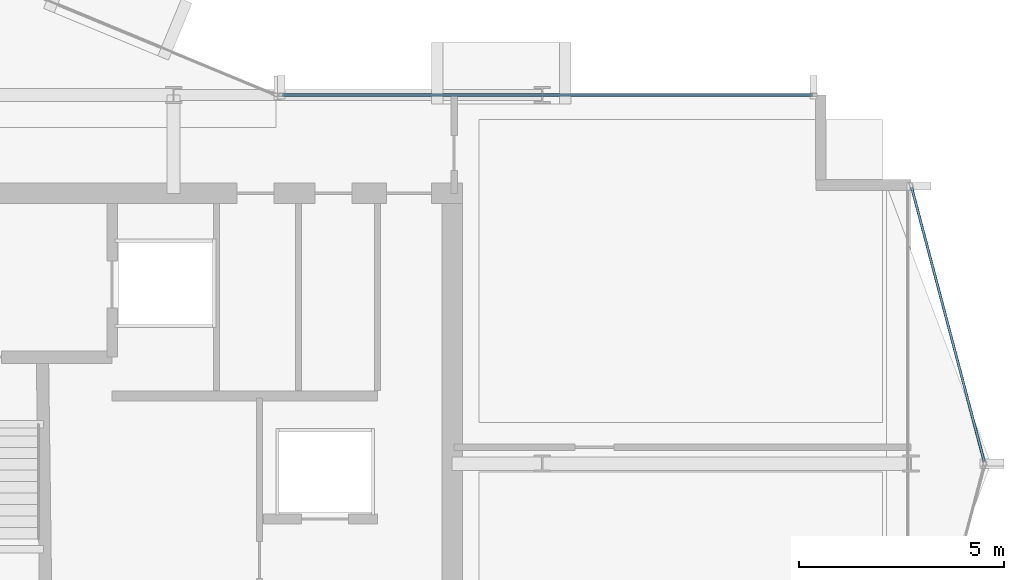
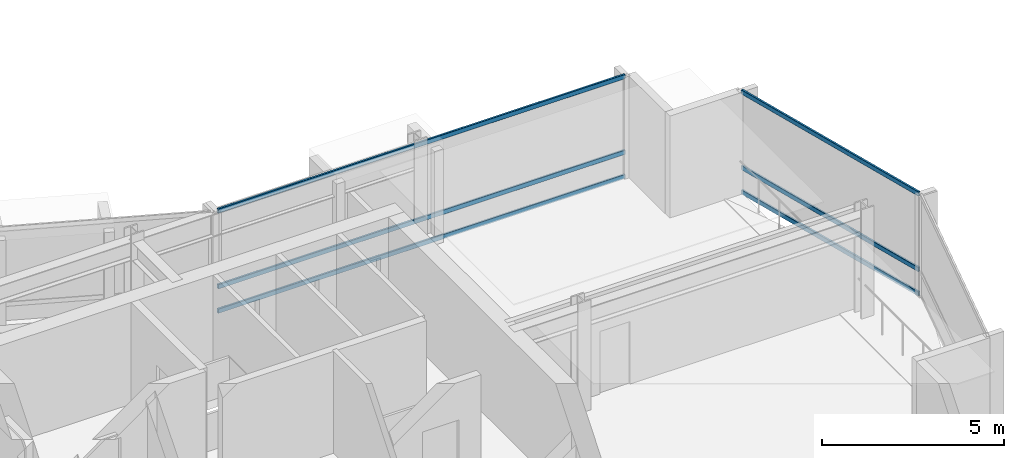
# One storey, part 13 of 27: 6 members, 2 elements without a shape of their own.
"""IFC4 building model written with IfcOpenShell, lengths in metres."""

from ifc_helpers import new_model, si_unit, direction, frame, origin, origin_2d, place, context, subcontext, project, spatial, hollow_rectangle, extrude, material, layer, layer_set, material_profile, profile_set, type_object, element, aggregate, save


model = new_model("IFC4")

# Units and contexts
model_context = context("Model", 3, precision=1e-05, world=origin(), true_north=direction((0.0, 1.0)))
body_context = subcontext(model_context, "Body", "Model", "MODEL_VIEW")
ifc_project = project(units=[si_unit("LENGTHUNIT", "METRE"), si_unit("AREAUNIT", "SQUARE_METRE"), si_unit("VOLUMEUNIT", "CUBIC_METRE"), si_unit("PLANEANGLEUNIT", "RADIAN"), si_unit("MASSUNIT", "GRAM", prefix="KILO")], contexts=[model_context])

# Site, building, storey
site_placement = place(None, origin())
site = spatial("IfcSite", under=ifc_project, at=site_placement, CompositionType="ELEMENT")
building_placement = place(site_placement, origin())
building = spatial("IfcBuilding", under=site, at=building_placement, Name="Solvaryn Broadcast Tower", CompositionType="ELEMENT")
storey_placement = place(building_placement, frame((0.0, 0.0, 185.300048828125)))
storey = spatial("IfcBuildingStorey", under=building, at=storey_placement, Name="L46", CompositionType="ELEMENT", Elevation=185.300048828125)

# Curtain wall, members
ifc_material_1 = material(Name="Aluminium and Terracotta Unitised Curtain Wall", Category="masonry")
ifc_layer = layer(ifc_material_1, 0.199951171875)
ifc_layer_set = layer_set([ifc_layer], Name="CW-SYS2-LOWMID")
curtain_wall_type = type_object("IfcCurtainWallType", Name="CW-SYS2-LOWMID", PredefinedType="NOTDEFINED", material=ifc_layer_set)
curtain_wall_1_placement = place(storey_placement, origin())
curtain_wall_1 = element("IfcCurtainWall", 1, at=curtain_wall_1_placement, inside=storey, type_object=curtain_wall_type, Name="L46 Curtain Wall ET1", PredefinedType="NOTDEFINED")
ifc_material_2 = material(Name="Anodised Aluminium 6063-T6", Category="aluminium")
ifc_material_profile = material_profile(ifc_material_2, hollow_rectangle(XDim=0.06494140625, YDim=0.14990234375, WallThickness=0.00390625, InnerFilletRadius=0.00390625, OuterFilletRadius=0.008056640625, at=origin_2d()))
ifc_profile_set = profile_set([ifc_material_profile], Name="Anodised Aluminium 6063-T6")
member_type = type_object("IfcMemberType", Name="CW-TRN-150", PredefinedType="USERDEFINED", material=ifc_profile_set)
member_1_placement = place(storey_placement, frame((54.015380859375, 24.741943359375, 0.030029296875), z_axis=(0.255897413051, -0.966703943301, 0.0), x_axis=(0.966703943301, 0.255897413051, 0.0)))
member_1 = element("IfcMember", 2, at=member_1_placement, type_object=member_type, Name="CWS2 transom 1.1", ObjectType="TRANSOM", PredefinedType="USERDEFINED", context=body_context, shape_type="SweptSolid", body=[
    extrude(hollow_rectangle(XDim=0.06494140625, YDim=0.14990234375, WallThickness=0.00390625, InnerFilletRadius=0.00390625, OuterFilletRadius=0.008056640625, at=origin_2d()), origin(), (0.0, 0.0, 1.0), 6.9140625),
])
member_2_placement = place(storey_placement, frame((54.015380859375, 24.741943359375, 0.849853515625), z_axis=(0.255897413051, -0.966703943301, 0.0), x_axis=(0.966703943301, 0.255897413051, 0.0)))
member_2 = element("IfcMember", 3, at=member_2_placement, type_object=member_type, Name="CWS2 transom 1.2", ObjectType="TRANSOM", PredefinedType="USERDEFINED", context=body_context, shape_type="SweptSolid", body=[
    extrude(hollow_rectangle(XDim=0.06494140625, YDim=0.14990234375, WallThickness=0.00390625, InnerFilletRadius=0.00390625, OuterFilletRadius=0.008056640625, at=origin_2d()), origin(), (0.0, 0.0, 1.0), 6.9140625),
])
member_3_placement = place(storey_placement, frame((54.015380859375, 24.741943359375, 3.389892578125), z_axis=(0.255897413051, -0.966703943301, 0.0), x_axis=(0.966703943301, 0.255897413051, 0.0)))
member_3 = element("IfcMember", 4, at=member_3_placement, type_object=member_type, Name="CWS2 transom 1.3", ObjectType="TRANSOM", PredefinedType="USERDEFINED", context=body_context, shape_type="SweptSolid", body=[
    extrude(hollow_rectangle(XDim=0.06494140625, YDim=0.14990234375, WallThickness=0.00390625, InnerFilletRadius=0.00390625, OuterFilletRadius=0.008056640625, at=origin_2d()), origin(), (0.0, 0.0, 1.0), 6.9140625),
])
aggregate(curtain_wall_1, [member_1, member_2, member_3])

curtain_wall_2_placement = place(storey_placement, origin())
curtain_wall_2 = element("IfcCurtainWall", 5, at=curtain_wall_2_placement, inside=storey, type_object=curtain_wall_type, Name="L46 Curtain Wall IH", PredefinedType="NOTDEFINED")
member_4_placement = place(storey_placement, frame((38.659912109375, 27.0, 0.030029296875), z_axis=(1.0, 0.0, 0.0), x_axis=(0.0, 1.0, 0.0)))
member_4 = element("IfcMember", 6, at=member_4_placement, type_object=member_type, Name="CWS2 transom 1.1", ObjectType="TRANSOM", PredefinedType="USERDEFINED", context=body_context, shape_type="SweptSolid", body=[
    extrude(hollow_rectangle(XDim=0.06494140625, YDim=0.14990234375, WallThickness=0.00390625, InnerFilletRadius=0.00390625, OuterFilletRadius=0.008056640625, at=origin_2d()), origin(), (0.0, 0.0, 1.0), 12.93017578125),
])
member_5_placement = place(storey_placement, frame((38.659912109375, 27.0, 0.849853515625), z_axis=(1.0, 0.0, 0.0), x_axis=(0.0, 1.0, 0.0)))
member_5 = element("IfcMember", 7, at=member_5_placement, type_object=member_type, Name="CWS2 transom 1.2", ObjectType="TRANSOM", PredefinedType="USERDEFINED", context=body_context, shape_type="SweptSolid", body=[
    extrude(hollow_rectangle(XDim=0.06494140625, YDim=0.14990234375, WallThickness=0.00390625, InnerFilletRadius=0.00390625, OuterFilletRadius=0.008056640625, at=origin_2d()), origin(), (0.0, 0.0, 1.0), 12.93017578125),
])
member_6_placement = place(storey_placement, frame((38.659912109375, 27.0, 3.389892578125), z_axis=(1.0, 0.0, 0.0), x_axis=(0.0, 1.0, 0.0)))
member_6 = element("IfcMember", 8, at=member_6_placement, type_object=member_type, Name="CWS2 transom 1.3", ObjectType="TRANSOM", PredefinedType="USERDEFINED", context=body_context, shape_type="SweptSolid", body=[
    extrude(hollow_rectangle(XDim=0.06494140625, YDim=0.14990234375, WallThickness=0.00390625, InnerFilletRadius=0.00390625, OuterFilletRadius=0.008056640625, at=origin_2d()), origin(), (0.0, 0.0, 1.0), 12.93017578125),
])
aggregate(curtain_wall_2, [member_4, member_5, member_6])

save(model, "model.ifc")
